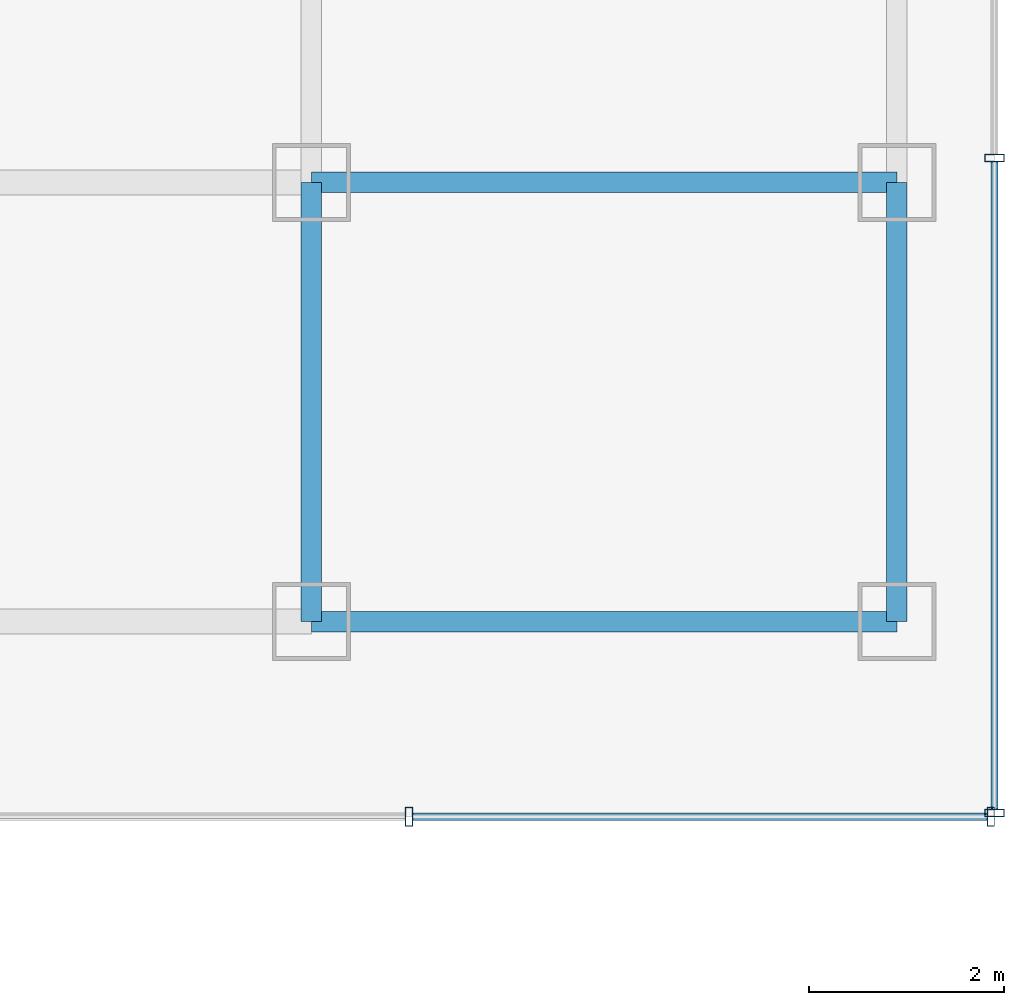
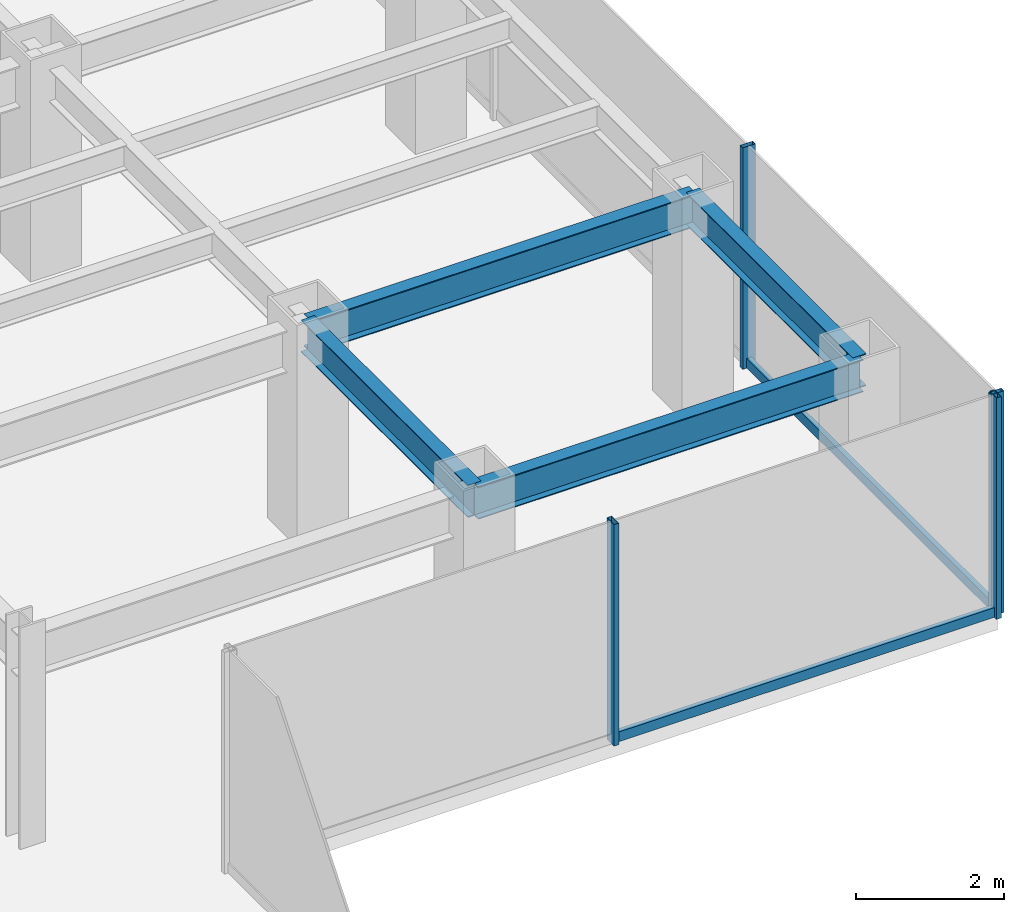
# One storey, part 10 of 26: 6 members, 4 beams, 2 elements without a shape of their own.
"""IFC4 building model written with IfcOpenShell, lengths in metres."""

from ifc_helpers import new_model, si_unit, derived_unit, direction, frame, origin, origin_2d, place, context, subcontext, project, spatial, hollow_rectangle, i_section, extrude, source, transform, mapped, material, material_profile, profile_set, type_object, element, aggregate, save


model = new_model("IFC4")

# Units and contexts
model_context = context("Model", 3, precision=1e-05, world=origin(), true_north=direction((0.0, 1.0)))
body_context = subcontext(model_context, "Body", "Model", "MODEL_VIEW")
ifc_project = project(units=[si_unit("LENGTHUNIT", "METRE"), si_unit("AREAUNIT", "SQUARE_METRE"), si_unit("VOLUMEUNIT", "CUBIC_METRE"), si_unit("PLANEANGLEUNIT", "RADIAN"), si_unit("MASSUNIT", "GRAM", prefix="KILO"), derived_unit("THERMALTRANSMITTANCEUNIT", [(si_unit("POWERUNIT", "WATT"), 1), (si_unit("LENGTHUNIT", "METRE"), -2), (si_unit("THERMODYNAMICTEMPERATUREUNIT", "KELVIN"), -1)])], contexts=[model_context])

# Site, building, storey
site_placement = place(None, origin())
site = spatial("IfcSite", under=ifc_project, at=site_placement, CompositionType="ELEMENT")
building_placement = place(site_placement, origin())
building = spatial("IfcBuilding", under=site, at=building_placement, Name="Skarnbrae Concourse Arena and Tower", CompositionType="ELEMENT")
storey_placement = place(building_placement, frame((0.0, 0.0, 106.89990234375)))
storey = spatial("IfcBuildingStorey", under=building, at=storey_placement, Name="L26", CompositionType="ELEMENT", Elevation=106.89990234375)

# Beams
ifc_material_1 = material(Name="Steel CSA G40.21 350W", Category="steel")
ifc_material_profile_1 = material_profile(ifc_material_1, i_section(OverallWidth=0.208984375, OverallDepth=0.532958984375, WebThickness=0.01025390625, FlangeThickness=0.015625, at=origin_2d()), Name="W530X92")
ifc_profile_set_1 = profile_set([ifc_material_profile_1], Name="Steel CSA G40.21 350W")
beam_type = type_object("IfcBeamType", Name="BM-SPAN-W530X92", PredefinedType="SPANDREL", material=ifc_profile_set_1)
shared_shape_1 = source(origin(), body_context, "Body", "SweptSolid", [
    extrude(i_section(OverallWidth=0.208984375, OverallDepth=0.532958984375, WebThickness=0.01025390625, FlangeThickness=0.015625, at=origin_2d()), origin(), (0.0, 0.0, 1.0), 6.0),
])
for number, where, z_axis, x_axis, name in (
    (1, (49.0, 9.5, 3.133544921875), (1.0, 0.0, 0.0), (0.0, 1.0, 0.0), "L26 Perimeter spandrel Y9.5-3"),
    (2, (49.0, 14.0, 3.133544921875), (1.0, 0.0, 0.0), (0.0, 1.0, 0.0), "L26 Perimeter spandrel Y14.0-8"),
):
    element("IfcBeam", number, at=place(storey_placement, frame(where, z_axis=z_axis, x_axis=x_axis)), inside=storey, type_object=beam_type, Name=name, PredefinedType="SPANDREL", context=body_context, shape_type="MappedRepresentation", body=[
        mapped(shared_shape_1, transform((0.0, 0.0, 0.0))),
    ])
shared_shape_2 = source(origin(), body_context, "Body", "SweptSolid", [
    extrude(i_section(OverallWidth=0.208984375, OverallDepth=0.532958984375, WebThickness=0.01025390625, FlangeThickness=0.015625, at=origin_2d()), origin(), (0.0, 0.0, 1.0), 4.5),
])
for number, where, z_axis, x_axis, name in (
    (3, (49.0, 9.5, 3.133544921875), (0.0, 1.0, 0.0), (-1.0, 0.0, 0.0), "L26 Perimeter spandrel X49.0-1"),
    (4, (55.0, 9.5, 3.133544921875), (0.0, 1.0, 0.0), (-1.0, 0.0, 0.0), "L26 Perimeter spandrel X55.0-1"),
):
    element("IfcBeam", number, at=place(storey_placement, frame(where, z_axis=z_axis, x_axis=x_axis)), inside=storey, type_object=beam_type, Name=name, PredefinedType="SPANDREL", context=body_context, shape_type="MappedRepresentation", body=[
        mapped(shared_shape_2, transform((0.0, 0.0, 0.0))),
    ])

# Curtain wall, members
ifc_material_2 = material(Name="Bronze anodised aluminium 6063-T6", Category="aluminium")
curtain_wall_type = type_object("IfcCurtainWallType", Name="CW-SYS-04-MIDZONE", PredefinedType="USERDEFINED", material=ifc_material_2)
curtain_wall_1_placement = place(storey_placement, origin())
curtain_wall_1 = element("IfcCurtainWall", 5, at=curtain_wall_1_placement, inside=storey, type_object=curtain_wall_type, Name="L26 Unitised curtain wall CW-L26-E03", ObjectType="UNITISED CURTAIN WALL", PredefinedType="USERDEFINED")
ifc_material_profile_2 = material_profile(ifc_material_2, hollow_rectangle(XDim=0.074951171875, YDim=0.195068359375, WallThickness=0.00439453125, at=origin_2d()), Name="ALU-MULL-75X195")
ifc_profile_set_2 = profile_set([ifc_material_profile_2], Name="Bronze anodised aluminium 6063-T6")
member_type_1 = type_object("IfcMemberType", Name="CWM-CW-04", PredefinedType="MULLION", material=ifc_profile_set_2)
shared_shape_3 = source(origin(), body_context, "Body", "SweptSolid", [
    extrude(hollow_rectangle(XDim=0.074951171875, YDim=0.195068359375, WallThickness=0.00439453125, at=origin_2d()), origin(), (0.0, 0.0, 1.0), 3.650146484375),
])
member_1_placement = place(storey_placement, frame((50.0, 7.5, 0.0), z_axis=(0.0, 0.0, 1.0), x_axis=(1.0, 0.0, 0.0)))
member_1 = element("IfcMember", 6, at=member_1_placement, type_object=member_type_1, Name="CW-L26-E03 Mullion 2", PredefinedType="MULLION", context=body_context, shape_type="MappedRepresentation", body=[
    mapped(shared_shape_3, transform((0.0, 0.0, 0.0))),
])
member_2_placement = place(storey_placement, frame((55.96240234375, 7.5, 0.0), z_axis=(0.0, 0.0, 1.0), x_axis=(1.0, 0.0, 0.0)))
member_2 = element("IfcMember", 7, at=member_2_placement, type_object=member_type_1, Name="CW-L26-E03 Mullion 3", PredefinedType="MULLION", context=body_context, shape_type="MappedRepresentation", body=[
    mapped(shared_shape_3, transform((0.0, 0.0, 0.0))),
])

curtain_wall_2_placement = place(storey_placement, origin())
curtain_wall_2 = element("IfcCurtainWall", 8, at=curtain_wall_2_placement, inside=storey, type_object=curtain_wall_type, Name="L26 Unitised curtain wall CW-L26-E04", ObjectType="UNITISED CURTAIN WALL", PredefinedType="USERDEFINED")
member_3_placement = place(storey_placement, frame((56.0, 7.53759765625, 0.0), z_axis=(0.0, 0.0, 1.0), x_axis=(0.0, 1.0, 0.0)))
member_3 = element("IfcMember", 9, at=member_3_placement, type_object=member_type_1, Name="CW-L26-E04 Mullion 1", PredefinedType="MULLION", context=body_context, shape_type="MappedRepresentation", body=[
    mapped(shared_shape_3, transform((0.0, 0.0, 0.0))),
])
member_4_placement = place(storey_placement, frame((56.0, 14.25, 0.0), z_axis=(0.0, 0.0, 1.0), x_axis=(0.0, 1.0, 0.0)))
member_4 = element("IfcMember", 10, at=member_4_placement, type_object=member_type_1, Name="CW-L26-E04 Mullion 2", PredefinedType="MULLION", context=body_context, shape_type="MappedRepresentation", body=[
    mapped(shared_shape_3, transform((0.0, 0.0, 0.0))),
])

# Member
ifc_material_profile_3 = material_profile(ifc_material_2, hollow_rectangle(XDim=0.074951171875, YDim=0.159912109375, WallThickness=0.00439453125, at=origin_2d()), Name="ALU-TRAN-75X160")
ifc_profile_set_3 = profile_set([ifc_material_profile_3], Name="Bronze anodised aluminium 6063-T6")
member_type_2 = type_object("IfcMemberType", Name="CWT-CW-04", PredefinedType="USERDEFINED", material=ifc_profile_set_3)
shared_shape_4 = source(origin(), body_context, "Body", "SweptSolid", [
    extrude(hollow_rectangle(XDim=0.074951171875, YDim=0.159912109375, WallThickness=0.00439453125, at=origin_2d()), origin(), (0.0, 0.0, 1.0), 5.887451171875),
])
member_5_placement = place(storey_placement, frame((50.03759765625, 7.5, 0.080078125), z_axis=(1.0, 0.0, 0.0), x_axis=(0.0, 1.0, 0.0)))
member_5 = element("IfcMember", 11, at=member_5_placement, type_object=member_type_2, Name="CW-L26-E03 Transom 2", ObjectType="TRANSOM", PredefinedType="USERDEFINED", context=body_context, shape_type="MappedRepresentation", body=[
    mapped(shared_shape_4, transform((0.0, 0.0, 0.0))),
])

aggregate(curtain_wall_1, [member_1, member_2, member_5])

shared_shape_5 = source(origin(), body_context, "Body", "SweptSolid", [
    extrude(hollow_rectangle(XDim=0.074951171875, YDim=0.159912109375, WallThickness=0.00439453125, at=origin_2d()), origin(), (0.0, 0.0, 1.0), 6.637451171875),
])
member_6_placement = place(storey_placement, frame((56.0, 7.574951171875, 0.080078125), z_axis=(0.0, 1.0, 0.0), x_axis=(-1.0, 0.0, 0.0)))
member_6 = element("IfcMember", 12, at=member_6_placement, type_object=member_type_2, Name="CW-L26-E04 Transom 1", ObjectType="TRANSOM", PredefinedType="USERDEFINED", context=body_context, shape_type="MappedRepresentation", body=[
    mapped(shared_shape_5, transform((0.0, 0.0, 0.0))),
])

aggregate(curtain_wall_2, [member_3, member_4, member_6])

save(model, "model.ifc")
